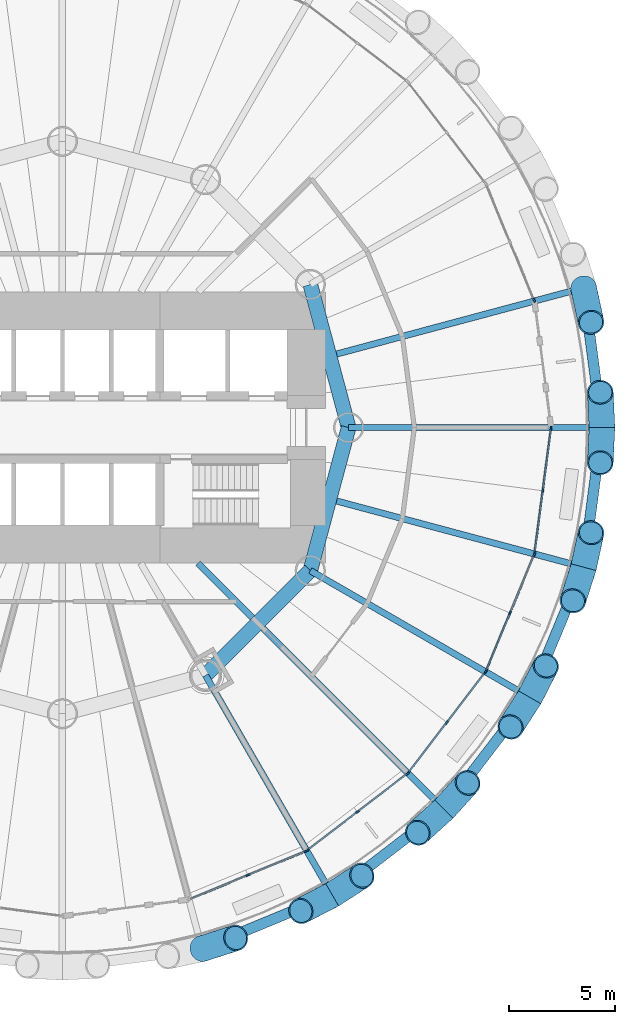
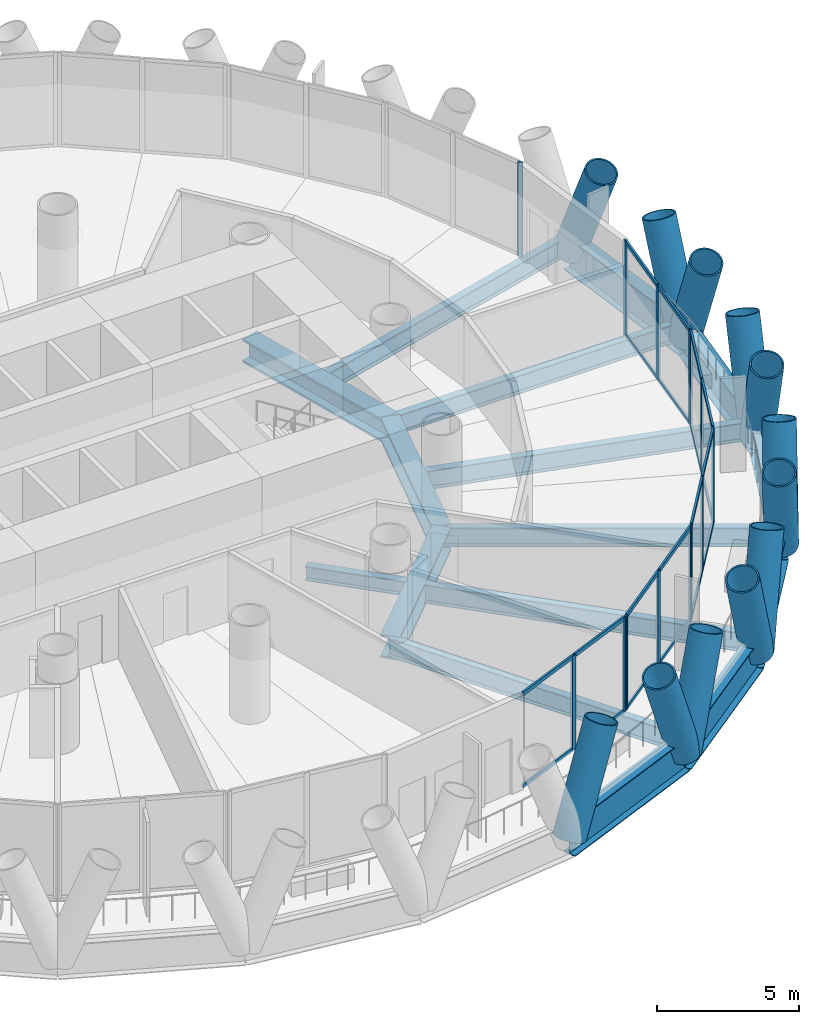
# One storey, part 4 of 14: 47 members, 16 beams, 6 elements without a shape of their own.
"""IFC4 building model written with IfcOpenShell, lengths in metres."""

from ifc_helpers import new_model, si_unit, direction, frame, origin, origin_2d, place, context, subcontext, project, spatial, rectangle, hollow_circle, i_section, extrude, material, material_profile, profile_set, type_object, element, aggregate, save


model = new_model("IFC4")

# Units and contexts
model_context = context("Model", 3, precision=1e-05, world=origin(), true_north=direction((0.0, 1.0)))
body_context = subcontext(model_context, "Body", "Model", "MODEL_VIEW")
ifc_project = project(units=[si_unit("LENGTHUNIT", "METRE"), si_unit("AREAUNIT", "SQUARE_METRE"), si_unit("VOLUMEUNIT", "CUBIC_METRE"), si_unit("PLANEANGLEUNIT", "RADIAN"), si_unit("MASSUNIT", "GRAM", prefix="KILO")], contexts=[model_context])

# Site, building, storey
site_placement = place(None, origin())
site = spatial("IfcSite", under=ifc_project, at=site_placement, CompositionType="ELEMENT")
building_placement = place(site_placement, origin())
building = spatial("IfcBuilding", under=site, at=building_placement, Name="Qaws Media Tower", CompositionType="ELEMENT")
storey_placement = place(building_placement, frame((0.0, 0.0, 93.199951171875)))
storey = spatial("IfcBuildingStorey", under=building, at=storey_placement, Name="L20", CompositionType="ELEMENT", Elevation=93.199951171875)

# Curtain wall, member
ifc_material_1 = material(Name="Aluminium and clear glass", Category="aluminium")
curtain_wall_type = type_object("IfcCurtainWallType", Name="Unitised curtain wall CW-A", PredefinedType="NOTDEFINED", material=ifc_material_1)
curtain_wall_1_placement = place(storey_placement, origin())
curtain_wall_1 = element("IfcCurtainWall", 1, at=curtain_wall_1_placement, inside=storey, type_object=curtain_wall_type, Name="CWA curtain wall L20-02", PredefinedType="NOTDEFINED")
ifc_material_2 = material(Name="Aluminium mullion", Category="aluminium")
ifc_material_profile_1 = material_profile(ifc_material_2, rectangle(XDim=0.080078125, YDim=0.199951171875, at=origin_2d()), Name="80x200")
ifc_profile_set_1 = profile_set([ifc_material_profile_1], Name="Aluminium mullion")
member_type_1 = type_object("IfcMemberType", Name="Curtain wall mullion 80x200", PredefinedType="MULLION", material=ifc_profile_set_1)
member_1_placement = place(storey_placement, frame((82.249267578125, 56.002685546875, 0.0), z_axis=(0.0, 0.0, 1.0), x_axis=(-0.923879575665, -0.382683328183, 0.0)))
member_1 = element("IfcMember", 2, at=member_1_placement, type_object=member_type_1, Name="CWA mullion 1", PredefinedType="MULLION", context=body_context, shape_type="SweptSolid", body=[
    extrude(rectangle(XDim=0.080078125, YDim=0.199951171875, at=origin_2d()), origin(), (0.0, 0.0, 1.0), 4.0400390625),
])
aggregate(curtain_wall_1, [member_1])

# Curtain wall, members
curtain_wall_2_placement = place(storey_placement, origin())
curtain_wall_2 = element("IfcCurtainWall", 3, at=curtain_wall_2_placement, inside=storey, type_object=curtain_wall_type, Name="CWA curtain wall L20-20", PredefinedType="NOTDEFINED")
member_2_placement = place(storey_placement, frame((68.745361328125, 28.88671875, 0.0), z_axis=(0.0, 0.0, 1.0), x_axis=(-0.382683328183, 0.923879575665, 0.0)))
member_2 = element("IfcMember", 4, at=member_2_placement, type_object=member_type_1, Name="CWA mullion 2", PredefinedType="MULLION", context=body_context, shape_type="SweptSolid", body=[
    extrude(rectangle(XDim=0.080078125, YDim=0.199951171875, at=origin_2d()), origin(), (0.0, 0.0, 1.0), 4.0400390625),
])
member_3_placement = place(storey_placement, frame((71.488037109375, 30.022705078125, 0.0), z_axis=(0.0, 0.0, 1.0), x_axis=(-0.382683328183, 0.923879575665, 0.0)))
member_3 = element("IfcMember", 5, at=member_3_placement, type_object=member_type_1, Name="CWA mullion 3", PredefinedType="MULLION", context=body_context, shape_type="SweptSolid", body=[
    extrude(rectangle(XDim=0.080078125, YDim=0.199951171875, at=origin_2d()), origin(), (0.0, 0.0, 1.0), 4.0400390625),
])

curtain_wall_3_placement = place(storey_placement, origin())
curtain_wall_3 = element("IfcCurtainWall", 6, at=curtain_wall_3_placement, inside=storey, type_object=curtain_wall_type, Name="CWA curtain wall L20-21", PredefinedType="NOTDEFINED")
member_4_placement = place(storey_placement, frame((71.556640625, 30.0625, 0.0), z_axis=(0.0, 0.0, 1.0), x_axis=(-0.608761531958, 0.793353261295, 0.0)))
member_4 = element("IfcMember", 7, at=member_4_placement, type_object=member_type_1, Name="CWA mullion 1", PredefinedType="MULLION", context=body_context, shape_type="SweptSolid", body=[
    extrude(rectangle(XDim=0.080078125, YDim=0.199951171875, at=origin_2d()), origin(), (0.0, 0.0, 1.0), 4.0400390625),
])
member_5_placement = place(storey_placement, frame((73.911865234375, 31.86962890625, 0.0), z_axis=(0.0, 0.0, 1.0), x_axis=(-0.608761531958, 0.793353261295, 0.0)))
member_5 = element("IfcMember", 8, at=member_5_placement, type_object=member_type_1, Name="CWA mullion 2", PredefinedType="MULLION", context=body_context, shape_type="SweptSolid", body=[
    extrude(rectangle(XDim=0.080078125, YDim=0.199951171875, at=origin_2d()), origin(), (0.0, 0.0, 1.0), 4.0400390625),
])
member_6_placement = place(storey_placement, frame((76.26708984375, 33.6767578125, 0.0), z_axis=(0.0, 0.0, 1.0), x_axis=(-0.608761531958, 0.793353261295, 0.0)))
member_6 = element("IfcMember", 9, at=member_6_placement, type_object=member_type_1, Name="CWA mullion 3", PredefinedType="MULLION", context=body_context, shape_type="SweptSolid", body=[
    extrude(rectangle(XDim=0.080078125, YDim=0.199951171875, at=origin_2d()), origin(), (0.0, 0.0, 1.0), 4.0400390625),
])

curtain_wall_4_placement = place(storey_placement, origin())
curtain_wall_4 = element("IfcCurtainWall", 10, at=curtain_wall_4_placement, inside=storey, type_object=curtain_wall_type, Name="CWA curtain wall L20-22", PredefinedType="NOTDEFINED")
member_7_placement = place(storey_placement, frame((76.3232421875, 33.73291015625, 0.0), z_axis=(0.0, 0.0, 1.0), x_axis=(-0.793353261295, 0.608761531958, 0.0)))
member_7 = element("IfcMember", 11, at=member_7_placement, type_object=member_type_1, Name="CWA mullion 1", PredefinedType="MULLION", context=body_context, shape_type="SweptSolid", body=[
    extrude(rectangle(XDim=0.080078125, YDim=0.199951171875, at=origin_2d()), origin(), (0.0, 0.0, 1.0), 4.0400390625),
])
member_8_placement = place(storey_placement, frame((78.13037109375, 36.088134765625, 0.0), z_axis=(0.0, 0.0, 1.0), x_axis=(-0.793353261295, 0.608761531958, 0.0)))
member_8 = element("IfcMember", 12, at=member_8_placement, type_object=member_type_1, Name="CWA mullion 2", PredefinedType="MULLION", context=body_context, shape_type="SweptSolid", body=[
    extrude(rectangle(XDim=0.080078125, YDim=0.199951171875, at=origin_2d()), origin(), (0.0, 0.0, 1.0), 4.0400390625),
])
member_9_placement = place(storey_placement, frame((79.9375, 38.443359375, 0.0), z_axis=(0.0, 0.0, 1.0), x_axis=(-0.793353261295, 0.608761531958, 0.0)))
member_9 = element("IfcMember", 13, at=member_9_placement, type_object=member_type_1, Name="CWA mullion 3", PredefinedType="MULLION", context=body_context, shape_type="SweptSolid", body=[
    extrude(rectangle(XDim=0.080078125, YDim=0.199951171875, at=origin_2d()), origin(), (0.0, 0.0, 1.0), 4.0400390625),
])

curtain_wall_5_placement = place(storey_placement, origin())
curtain_wall_5 = element("IfcCurtainWall", 14, at=curtain_wall_5_placement, inside=storey, type_object=curtain_wall_type, Name="CWA curtain wall L20-23", PredefinedType="NOTDEFINED")
member_10_placement = place(storey_placement, frame((79.977294921875, 38.511962890625, 0.0), z_axis=(0.0, 0.0, 1.0), x_axis=(-0.923879575665, 0.382683328183, 0.0)))
member_10 = element("IfcMember", 15, at=member_10_placement, type_object=member_type_1, Name="CWA mullion 1", PredefinedType="MULLION", context=body_context, shape_type="SweptSolid", body=[
    extrude(rectangle(XDim=0.080078125, YDim=0.199951171875, at=origin_2d()), origin(), (0.0, 0.0, 1.0), 4.0400390625),
])
member_11_placement = place(storey_placement, frame((81.11328125, 41.254638671875, 0.0), z_axis=(0.0, 0.0, 1.0), x_axis=(-0.923879575665, 0.382683328183, 0.0)))
member_11 = element("IfcMember", 16, at=member_11_placement, type_object=member_type_1, Name="CWA mullion 2", PredefinedType="MULLION", context=body_context, shape_type="SweptSolid", body=[
    extrude(rectangle(XDim=0.080078125, YDim=0.199951171875, at=origin_2d()), origin(), (0.0, 0.0, 1.0), 4.0400390625),
])
member_12_placement = place(storey_placement, frame((82.249267578125, 43.997314453125, 0.0), z_axis=(0.0, 0.0, 1.0), x_axis=(-0.923879575665, 0.382683328183, 0.0)))
member_12 = element("IfcMember", 17, at=member_12_placement, type_object=member_type_1, Name="CWA mullion 3", PredefinedType="MULLION", context=body_context, shape_type="SweptSolid", body=[
    extrude(rectangle(XDim=0.080078125, YDim=0.199951171875, at=origin_2d()), origin(), (0.0, 0.0, 1.0), 4.0400390625),
])

curtain_wall_6_placement = place(storey_placement, origin())
curtain_wall_6 = element("IfcCurtainWall", 18, at=curtain_wall_6_placement, inside=storey, type_object=curtain_wall_type, Name="CWA curtain wall L20-24", PredefinedType="NOTDEFINED")
member_13_placement = place(storey_placement, frame((82.269775390625, 44.073974609375, 0.0), z_axis=(0.0, 0.0, 1.0), x_axis=(-0.991444855038, 0.130526240342, 0.0)))
member_13 = element("IfcMember", 19, at=member_13_placement, type_object=member_type_1, Name="CWA mullion 1", PredefinedType="MULLION", context=body_context, shape_type="SweptSolid", body=[
    extrude(rectangle(XDim=0.080078125, YDim=0.199951171875, at=origin_2d()), origin(), (0.0, 0.0, 1.0), 4.0400390625),
])
member_14_placement = place(storey_placement, frame((82.6572265625, 47.01708984375, 0.0), z_axis=(0.0, 0.0, 1.0), x_axis=(-0.991444855038, 0.130526240342, 0.0)))
member_14 = element("IfcMember", 20, at=member_14_placement, type_object=member_type_1, Name="CWA mullion 2", PredefinedType="MULLION", context=body_context, shape_type="SweptSolid", body=[
    extrude(rectangle(XDim=0.080078125, YDim=0.199951171875, at=origin_2d()), origin(), (0.0, 0.0, 1.0), 4.0400390625),
])
member_15_placement = place(storey_placement, frame((83.044677734375, 49.96044921875, 0.0), z_axis=(0.0, 0.0, 1.0), x_axis=(-0.991444855038, 0.130526240342, 0.0)))
member_15 = element("IfcMember", 21, at=member_15_placement, type_object=member_type_1, Name="CWA mullion 3", PredefinedType="MULLION", context=body_context, shape_type="SweptSolid", body=[
    extrude(rectangle(XDim=0.080078125, YDim=0.199951171875, at=origin_2d()), origin(), (0.0, 0.0, 1.0), 4.0400390625),
])

# Member
ifc_material_3 = material(Name="Aluminium transom", Category="aluminium")
ifc_material_profile_2 = material_profile(ifc_material_3, rectangle(XDim=0.080078125, YDim=0.159912109375, at=origin_2d()), Name="80x160")
ifc_profile_set_2 = profile_set([ifc_material_profile_2], Name="Aluminium transom")
member_type_2 = type_object("IfcMemberType", Name="Curtain wall transom 80x160", PredefinedType="USERDEFINED", material=ifc_profile_set_2)
member_16_placement = place(storey_placement, frame((66.039794921875, 27.76611328125, 0.0400390625), z_axis=(0.923902494293, 0.382627993016, 0.0), x_axis=(-0.382627993016, 0.923902494293, 0.0)))
member_16 = element("IfcMember", 22, at=member_16_placement, type_object=member_type_2, Name="CWA transom 1.1", ObjectType="TRANSOM", PredefinedType="USERDEFINED", context=body_context, shape_type="SweptSolid", body=[
    extrude(rectangle(XDim=0.080078125, YDim=0.159912109375, at=origin_2d()), origin(), (0.0, 0.0, 1.0), 2.888427734375),
])

member_17_placement = place(storey_placement, frame((66.039794921875, 27.76611328125, 4.0), z_axis=(0.923902494293, 0.382627993016, 0.0), x_axis=(-0.382627993016, 0.923902494293, 0.0)))
member_17 = element("IfcMember", 23, at=member_17_placement, type_object=member_type_2, Name="CWA transom 1.2", ObjectType="TRANSOM", PredefinedType="USERDEFINED", context=body_context, shape_type="SweptSolid", body=[
    extrude(rectangle(XDim=0.080078125, YDim=0.159912109375, at=origin_2d()), origin(), (0.0, 0.0, 1.0), 2.888427734375),
])

member_18_placement = place(storey_placement, frame((68.7822265625, 28.902099609375, 0.0400390625), z_axis=(0.923884990322, 0.382670255779, 0.0), x_axis=(-0.382670255779, 0.923884990322, 0.0)))
member_18 = element("IfcMember", 24, at=member_18_placement, type_object=member_type_2, Name="CWA transom 2.1", ObjectType="TRANSOM", PredefinedType="USERDEFINED", context=body_context, shape_type="SweptSolid", body=[
    extrude(rectangle(XDim=0.080078125, YDim=0.159912109375, at=origin_2d()), origin(), (0.0, 0.0, 1.0), 2.888916015625),
])

member_19_placement = place(storey_placement, frame((68.7822265625, 28.902099609375, 4.0), z_axis=(0.923884990322, 0.382670255779, 0.0), x_axis=(-0.382670255779, 0.923884990322, 0.0)))
member_19 = element("IfcMember", 25, at=member_19_placement, type_object=member_type_2, Name="CWA transom 2.2", ObjectType="TRANSOM", PredefinedType="USERDEFINED", context=body_context, shape_type="SweptSolid", body=[
    extrude(rectangle(XDim=0.080078125, YDim=0.159912109375, at=origin_2d()), origin(), (0.0, 0.0, 1.0), 2.888916015625),
])

aggregate(curtain_wall_2, [member_2, member_3, member_16, member_17, member_18, member_19])

member_20_placement = place(storey_placement, frame((71.58837890625, 30.0869140625, 0.0400390625), z_axis=(0.793390013074, 0.608713633127, 0.0), x_axis=(-0.608713633127, 0.793390013074, 0.0)))
member_20 = element("IfcMember", 26, at=member_20_placement, type_object=member_type_2, Name="CWA transom 1.1", ObjectType="TRANSOM", PredefinedType="USERDEFINED", context=body_context, shape_type="SweptSolid", body=[
    extrude(rectangle(XDim=0.080078125, YDim=0.159912109375, at=origin_2d()), origin(), (0.0, 0.0, 1.0), 2.888671875),
])

member_21_placement = place(storey_placement, frame((71.58837890625, 30.0869140625, 4.0), z_axis=(0.793390013074, 0.608713633127, 0.0), x_axis=(-0.608713633127, 0.793390013074, 0.0)))
member_21 = element("IfcMember", 27, at=member_21_placement, type_object=member_type_2, Name="CWA transom 1.2", ObjectType="TRANSOM", PredefinedType="USERDEFINED", context=body_context, shape_type="SweptSolid", body=[
    extrude(rectangle(XDim=0.080078125, YDim=0.159912109375, at=origin_2d()), origin(), (0.0, 0.0, 1.0), 2.888671875),
])

member_22_placement = place(storey_placement, frame((73.943603515625, 31.89404296875, 0.0400390625), z_axis=(0.793349194644, 0.608766831684, 0.0), x_axis=(-0.608766831684, 0.793349194644, 0.0)))
member_22 = element("IfcMember", 28, at=member_22_placement, type_object=member_type_2, Name="CWA transom 2.1", ObjectType="TRANSOM", PredefinedType="USERDEFINED", context=body_context, shape_type="SweptSolid", body=[
    extrude(rectangle(XDim=0.080078125, YDim=0.159912109375, at=origin_2d()), origin(), (0.0, 0.0, 1.0), 2.888671875),
])

member_23_placement = place(storey_placement, frame((73.943603515625, 31.89404296875, 4.0), z_axis=(0.793349194644, 0.608766831684, 0.0), x_axis=(-0.608766831684, 0.793349194644, 0.0)))
member_23 = element("IfcMember", 29, at=member_23_placement, type_object=member_type_2, Name="CWA transom 2.2", ObjectType="TRANSOM", PredefinedType="USERDEFINED", context=body_context, shape_type="SweptSolid", body=[
    extrude(rectangle(XDim=0.080078125, YDim=0.159912109375, at=origin_2d()), origin(), (0.0, 0.0, 1.0), 2.888671875),
])

aggregate(curtain_wall_3, [member_4, member_5, member_6, member_20, member_21, member_22, member_23])

member_24_placement = place(storey_placement, frame((76.347412109375, 33.7646484375, 0.0400390625), z_axis=(0.608766831684, 0.793349194644, 0.0), x_axis=(-0.793349194644, 0.608766831684, 0.0)))
member_24 = element("IfcMember", 30, at=member_24_placement, type_object=member_type_2, Name="CWA transom 1.1", ObjectType="TRANSOM", PredefinedType="USERDEFINED", context=body_context, shape_type="SweptSolid", body=[
    extrude(rectangle(XDim=0.080078125, YDim=0.159912109375, at=origin_2d()), origin(), (0.0, 0.0, 1.0), 2.888671875),
])

member_25_placement = place(storey_placement, frame((76.347412109375, 33.7646484375, 4.0), z_axis=(0.608766831684, 0.793349194644, 0.0), x_axis=(-0.793349194644, 0.608766831684, 0.0)))
member_25 = element("IfcMember", 31, at=member_25_placement, type_object=member_type_2, Name="CWA transom 1.2", ObjectType="TRANSOM", PredefinedType="USERDEFINED", context=body_context, shape_type="SweptSolid", body=[
    extrude(rectangle(XDim=0.080078125, YDim=0.159912109375, at=origin_2d()), origin(), (0.0, 0.0, 1.0), 2.888671875),
])

member_26_placement = place(storey_placement, frame((78.15478515625, 36.119873046875, 0.0400390625), z_axis=(0.608713633127, 0.793390013074, 0.0), x_axis=(-0.793390013074, 0.608713633127, 0.0)))
member_26 = element("IfcMember", 32, at=member_26_placement, type_object=member_type_2, Name="CWA transom 2.1", ObjectType="TRANSOM", PredefinedType="USERDEFINED", context=body_context, shape_type="SweptSolid", body=[
    extrude(rectangle(XDim=0.080078125, YDim=0.159912109375, at=origin_2d()), origin(), (0.0, 0.0, 1.0), 2.888671875),
])

member_27_placement = place(storey_placement, frame((78.15478515625, 36.119873046875, 4.0), z_axis=(0.608713633127, 0.793390013074, 0.0), x_axis=(-0.793390013074, 0.608713633127, 0.0)))
member_27 = element("IfcMember", 33, at=member_27_placement, type_object=member_type_2, Name="CWA transom 2.2", ObjectType="TRANSOM", PredefinedType="USERDEFINED", context=body_context, shape_type="SweptSolid", body=[
    extrude(rectangle(XDim=0.080078125, YDim=0.159912109375, at=origin_2d()), origin(), (0.0, 0.0, 1.0), 2.888671875),
])

aggregate(curtain_wall_4, [member_7, member_8, member_9, member_24, member_25, member_26, member_27])

member_28_placement = place(storey_placement, frame((79.992431640625, 38.548828125, 0.0400390625), z_axis=(0.382670255779, 0.923884990322, 0.0), x_axis=(-0.923884990322, 0.382670255779, 0.0)))
member_28 = element("IfcMember", 34, at=member_28_placement, type_object=member_type_2, Name="CWA transom 1.1", ObjectType="TRANSOM", PredefinedType="USERDEFINED", context=body_context, shape_type="SweptSolid", body=[
    extrude(rectangle(XDim=0.080078125, YDim=0.159912109375, at=origin_2d()), origin(), (0.0, 0.0, 1.0), 2.888916015625),
])

member_29_placement = place(storey_placement, frame((79.992431640625, 38.548828125, 4.0), z_axis=(0.382670255779, 0.923884990322, 0.0), x_axis=(-0.923884990322, 0.382670255779, 0.0)))
member_29 = element("IfcMember", 35, at=member_29_placement, type_object=member_type_2, Name="CWA transom 1.2", ObjectType="TRANSOM", PredefinedType="USERDEFINED", context=body_context, shape_type="SweptSolid", body=[
    extrude(rectangle(XDim=0.080078125, YDim=0.159912109375, at=origin_2d()), origin(), (0.0, 0.0, 1.0), 2.888916015625),
])

member_30_placement = place(storey_placement, frame((81.128662109375, 41.29150390625, 0.0400390625), z_axis=(0.382627993016, 0.923902494293, 0.0), x_axis=(-0.923902494293, 0.382627993016, 0.0)))
member_30 = element("IfcMember", 36, at=member_30_placement, type_object=member_type_2, Name="CWA transom 2.1", ObjectType="TRANSOM", PredefinedType="USERDEFINED", context=body_context, shape_type="SweptSolid", body=[
    extrude(rectangle(XDim=0.080078125, YDim=0.159912109375, at=origin_2d()), origin(), (0.0, 0.0, 1.0), 2.888427734375),
])

member_31_placement = place(storey_placement, frame((81.128662109375, 41.29150390625, 4.0), z_axis=(0.382627993016, 0.923902494293, 0.0), x_axis=(-0.923902494293, 0.382627993016, 0.0)))
member_31 = element("IfcMember", 37, at=member_31_placement, type_object=member_type_2, Name="CWA transom 2.2", ObjectType="TRANSOM", PredefinedType="USERDEFINED", context=body_context, shape_type="SweptSolid", body=[
    extrude(rectangle(XDim=0.080078125, YDim=0.159912109375, at=origin_2d()), origin(), (0.0, 0.0, 1.0), 2.888427734375),
])

aggregate(curtain_wall_5, [member_10, member_11, member_12, member_28, member_29, member_30, member_31])

member_32_placement = place(storey_placement, frame((82.275146484375, 44.113525390625, 0.0400390625), z_axis=(0.130491678516, 0.991449404578, 0.0), x_axis=(-0.991449404578, 0.130491678516, 0.0)))
member_32 = element("IfcMember", 38, at=member_32_placement, type_object=member_type_2, Name="CWA transom 1.1", ObjectType="TRANSOM", PredefinedType="USERDEFINED", context=body_context, shape_type="SweptSolid", body=[
    extrude(rectangle(XDim=0.080078125, YDim=0.159912109375, at=origin_2d()), origin(), (0.0, 0.0, 1.0), 2.888671875),
])

member_33_placement = place(storey_placement, frame((82.275146484375, 44.113525390625, 4.0), z_axis=(0.130491678516, 0.991449404578, 0.0), x_axis=(-0.991449404578, 0.130491678516, 0.0)))
member_33 = element("IfcMember", 39, at=member_33_placement, type_object=member_type_2, Name="CWA transom 1.2", ObjectType="TRANSOM", PredefinedType="USERDEFINED", context=body_context, shape_type="SweptSolid", body=[
    extrude(rectangle(XDim=0.080078125, YDim=0.159912109375, at=origin_2d()), origin(), (0.0, 0.0, 1.0), 2.888671875),
])

member_34_placement = place(storey_placement, frame((82.66259765625, 47.056884765625, 0.0400390625), z_axis=(0.130502613671, 0.991447965263, 0.0), x_axis=(-0.991447965263, 0.130502613671, 0.0)))
member_34 = element("IfcMember", 40, at=member_34_placement, type_object=member_type_2, Name="CWA transom 2.1", ObjectType="TRANSOM", PredefinedType="USERDEFINED", context=body_context, shape_type="SweptSolid", body=[
    extrude(rectangle(XDim=0.080078125, YDim=0.159912109375, at=origin_2d()), origin(), (0.0, 0.0, 1.0), 2.888427734375),
])

member_35_placement = place(storey_placement, frame((82.66259765625, 47.056884765625, 4.0), z_axis=(0.130502613671, 0.991447965263, 0.0), x_axis=(-0.991447965263, 0.130502613671, 0.0)))
member_35 = element("IfcMember", 41, at=member_35_placement, type_object=member_type_2, Name="CWA transom 2.2", ObjectType="TRANSOM", PredefinedType="USERDEFINED", context=body_context, shape_type="SweptSolid", body=[
    extrude(rectangle(XDim=0.080078125, YDim=0.159912109375, at=origin_2d()), origin(), (0.0, 0.0, 1.0), 2.888427734375),
])

aggregate(curtain_wall_6, [member_13, member_14, member_15, member_32, member_33, member_34, member_35])

# Members
ifc_material_4 = material(Name="Steel S460", Category="steel")
ifc_material_profile_3 = material_profile(ifc_material_4, hollow_circle(Radius=0.609619140625, WallThickness=0.06005859375, at=origin_2d()), Name="CHS 1219x60")
ifc_profile_set_3 = profile_set([ifc_material_profile_3], Name="Steel S460")
member_type_3 = type_object("IfcMemberType", Name="Diagrid member CHS 1219x60", PredefinedType="USERDEFINED", material=ifc_profile_set_3)
for number, where, z_axis, x_axis, name in (
    (42, (85.449951171875, 50.0, -0.909912109375), (-0.017562730337, 0.368060788684, 0.929635846091), (-0.998863487797, -0.047662697627, 0.0), "DG1 diagrid L20 A01"),
    (43, (85.449951171875, 50.0, -0.909912109375), (-0.017562730337, -0.368060788684, 0.929635846091), (0.998863487797, -0.047662697627, 0.0), "DG1 diagrid L20 B01"),
    (44, (84.582763671875, 56.5869140625, -0.909912109375), (0.078302777838, -0.360063084013, 0.929636084989), (0.977160478007, 0.212502706383, 0.0), "DG1 diagrid L20 B02"),
    (45, (66.5869140625, 25.417236328125, -0.909912109375), (0.350982561874, 0.11223876536, 0.929630948716), (-0.304589483732, 0.952483725005, 0.0), "DG1 diagrid L20 A20"),
    (46, (72.72509765625, 27.959716796875, -0.909912109375), (0.309968536271, 0.199242327969, 0.929635413088), (-0.540713117879, 0.84120706378, 0.0), "DG1 diagrid L20 A21"),
    (47, (72.72509765625, 27.959716796875, -0.909912109375), (-0.327579770816, -0.168815441114, 0.929619729026), (0.458090025159, -0.888905804262, 0.0), "DG1 diagrid L20 B21"),
    (48, (77.995849609375, 32.004150390625, -0.909912109375), (0.247824298479, 0.272682383368, 0.929638335529), (-0.740032971445, 0.672570591963, 0.0), "DG1 diagrid L20 A22"),
    (49, (77.995849609375, 32.004150390625, -0.909912109375), (-0.272682383368, -0.247824298479, 0.929638335529), (0.672570591963, -0.740032971445, 0.0), "DG1 diagrid L20 B22"),
    (50, (82.040283203125, 37.27490234375, -0.909912109375), (0.168815441114, 0.327579770816, 0.929619729026), (-0.888905804262, 0.458090025159, 0.0), "DG1 diagrid L20 A23"),
    (51, (82.040283203125, 37.27490234375, -0.909912109375), (-0.199242327969, -0.309968536271, 0.929635413088), (0.84120706378, -0.540713117879, 0.0), "DG1 diagrid L20 B23"),
    (52, (84.582763671875, 43.4130859375, -0.909912109375), (0.078302777838, 0.360063084013, 0.929636084989), (-0.977160478007, 0.212502706383, 0.0), "DG1 diagrid L20 A24"),
    (53, (84.582763671875, 43.4130859375, -0.909912109375), (-0.11223876536, -0.350982561874, 0.929630948716), (0.952483725005, -0.304589483732, 0.0), "DG1 diagrid L20 B24"),
):
    element("IfcMember", number, at=place(storey_placement, frame(where, z_axis=z_axis, x_axis=x_axis)), inside=storey, type_object=member_type_3, Name=name, ObjectType="DIAGRID", PredefinedType="USERDEFINED", context=body_context, shape_type="SweptSolid", body=[
        extrude(hollow_circle(Radius=0.609619140625, WallThickness=0.06005859375, at=origin_2d()), origin(), (0.0, 0.0, 1.0), 4.517822265625),
    ])

# Beams
ifc_material_5 = material(Name="Steel S460", Category="steel")
ifc_material_profile_4 = material_profile(ifc_material_5, i_section(OverallWidth=0.5, OverallDepth=1.5, WebThickness=0.02001953125, FlangeThickness=0.0400390625, at=origin_2d()), Name="PG 1500x500")
ifc_profile_set_4 = profile_set([ifc_material_profile_4], Name="Steel S460")
beam_type_1 = type_object("IfcBeamType", Name="Edge ring beam PG 1500x500", PredefinedType="BEAM", material=ifc_profile_set_4)
for number, where, z_axis, x_axis, name in (
    (54, (85.449951171875, 50.0, -0.909912109375), (-0.130526756258, 0.991444787117, 0.0), (-0.991444787117, -0.130526756258, 0.0), "RB4 edge ring beam L20-01"),
    (55, (66.5869140625, 25.417236328125, -0.909912109375), (0.923881577225, 0.382678495952, 0.0), (-0.382678495952, 0.923881577225, 0.0), "RB4 edge ring beam L20-20"),
):
    element("IfcBeam", number, at=place(storey_placement, frame(where, z_axis=z_axis, x_axis=x_axis)), inside=storey, type_object=beam_type_1, Name=name, PredefinedType="BEAM", context=body_context, shape_type="SweptSolid", body=[
        extrude(i_section(OverallWidth=0.5, OverallDepth=1.5, WebThickness=0.02001953125, FlangeThickness=0.0400390625, at=origin_2d()), origin(), (0.0, 0.0, 1.0), 6.643798828125),
    ])
for number, where, z_axis, x_axis, name in (
    (56, (72.72509765625, 27.959716796875, -0.909912109375), (0.793350187256, 0.608765538102, 0.0), (-0.608765538102, 0.793350187256, 0.0), "RB4 edge ring beam L20-21"),
    (57, (77.995849609375, 32.004150390625, -0.909912109375), (0.608765538102, 0.793350187256, 0.0), (-0.793350187256, 0.608765538102, 0.0), "RB4 edge ring beam L20-22"),
):
    element("IfcBeam", number, at=place(storey_placement, frame(where, z_axis=z_axis, x_axis=x_axis)), inside=storey, type_object=beam_type_1, Name=name, PredefinedType="BEAM", context=body_context, shape_type="SweptSolid", body=[
        extrude(i_section(OverallWidth=0.5, OverallDepth=1.5, WebThickness=0.02001953125, FlangeThickness=0.0400390625, at=origin_2d()), origin(), (0.0, 0.0, 1.0), 6.6435546875),
    ])
for number, where, z_axis, x_axis, name in (
    (58, (82.040283203125, 37.27490234375, -0.909912109375), (0.382678495952, 0.923881577225, 0.0), (-0.923881577225, 0.382678495952, 0.0), "RB4 edge ring beam L20-23"),
    (59, (84.582763671875, 43.4130859375, -0.909912109375), (0.130526756258, 0.991444787117, 0.0), (-0.991444787117, 0.130526756258, 0.0), "RB4 edge ring beam L20-24"),
):
    element("IfcBeam", number, at=place(storey_placement, frame(where, z_axis=z_axis, x_axis=x_axis)), inside=storey, type_object=beam_type_1, Name=name, PredefinedType="BEAM", context=body_context, shape_type="SweptSolid", body=[
        extrude(i_section(OverallWidth=0.5, OverallDepth=1.5, WebThickness=0.02001953125, FlangeThickness=0.0400390625, at=origin_2d()), origin(), (0.0, 0.0, 1.0), 6.643798828125),
    ])
ifc_material_6 = material(Name="Steel S460", Category="steel")
ifc_material_profile_5 = material_profile(ifc_material_6, i_section(OverallWidth=0.699951171875, OverallDepth=1.0, WebThickness=0.034912109375, FlangeThickness=0.090087890625, at=origin_2d()), Name="PG 1000x700")
ifc_profile_set_5 = profile_set([ifc_material_profile_5], Name="Steel S460")
beam_type_2 = type_object("IfcBeamType", Name="Inner ring girder PG 1000x700", PredefinedType="BEAM", material=ifc_profile_set_5)
beam_1_placement = place(storey_placement, frame((73.5, 50.0, -0.659912109375), z_axis=(-0.258810593767, 0.965928090778, 0.0), x_axis=(-0.965928090778, -0.258810593767, 0.0)))
element("IfcBeam", 60, at=beam_1_placement, inside=storey, type_object=beam_type_2, Name="B3 inner ring beam L20 I01-I02", PredefinedType="BEAM", context=body_context, shape_type="SweptSolid", body=[
    extrude(i_section(OverallWidth=0.699951171875, OverallDepth=1.0, WebThickness=0.034912109375, FlangeThickness=0.090087890625, at=origin_2d()), origin(), (0.0, 0.0, 1.0), 6.988037109375),
])
beam_2_placement = place(storey_placement, frame((66.75, 38.30859375, -0.659912109375), z_axis=(0.707106781187, 0.707106781187, 0.0), x_axis=(-0.707106781187, 0.707106781187, 0.0)))
element("IfcBeam", 61, at=beam_2_placement, inside=storey, type_object=beam_type_2, Name="B3 inner ring beam L20 I11-I12", PredefinedType="BEAM", context=body_context, shape_type="SweptSolid", body=[
    extrude(i_section(OverallWidth=0.699951171875, OverallDepth=1.0, WebThickness=0.034912109375, FlangeThickness=0.090087890625, at=origin_2d()), origin(), (0.0, 0.0, 1.0), 6.98828125),
])
beam_3_placement = place(storey_placement, frame((71.69140625, 43.25, -0.659912109375), z_axis=(0.258810593767, 0.965928090778, 0.0), x_axis=(-0.965928090778, 0.258810593767, 0.0)))
element("IfcBeam", 62, at=beam_3_placement, inside=storey, type_object=beam_type_2, Name="B3 inner ring beam L20 I12-I01", PredefinedType="BEAM", context=body_context, shape_type="SweptSolid", body=[
    extrude(i_section(OverallWidth=0.699951171875, OverallDepth=1.0, WebThickness=0.034912109375, FlangeThickness=0.090087890625, at=origin_2d()), origin(), (0.0, 0.0, 1.0), 6.988037109375),
])
ifc_material_7 = material(Name="Steel S355", Category="steel")
ifc_material_profile_6 = material_profile(ifc_material_7, i_section(OverallWidth=0.304931640625, OverallDepth=0.6201171875, WebThickness=0.02099609375, FlangeThickness=0.0400390625, FilletRadius=0.027099609375, at=origin_2d()), Name="HE 600 M")
ifc_profile_set_6 = profile_set([ifc_material_profile_6], Name="Steel S355")
beam_type_3 = type_object("IfcBeamType", Name="Radial beam HE 600 M, core side", PredefinedType="BEAM", material=ifc_profile_set_6)
beam_4_placement = place(storey_placement, frame((66.39990234375, 43.60009765625, -0.469970703125), z_axis=(0.707106781187, -0.707106781187, 0.0), x_axis=(0.707106781187, 0.707106781187, 0.0)))
element("IfcBeam", 63, at=beam_4_placement, inside=storey, type_object=beam_type_3, Name="B2 radial beam L20 22", PredefinedType="BEAM", context=body_context, shape_type="SweptSolid", body=[
    extrude(i_section(OverallWidth=0.304931640625, OverallDepth=0.6201171875, WebThickness=0.02099609375, FlangeThickness=0.0400390625, FilletRadius=0.027099609375, at=origin_2d()), origin(), (0.0, 0.0, 1.0), 3.63916015625),
])
ifc_material_8 = material(Name="Steel S355", Category="steel")
ifc_material_profile_7 = material_profile(ifc_material_8, i_section(OverallWidth=0.300048828125, OverallDepth=0.800048828125, WebThickness=0.017578125, FlangeThickness=0.032958984375, FilletRadius=0.030029296875, at=origin_2d()), Name="HE 800 B")
ifc_profile_set_7 = profile_set([ifc_material_profile_7], Name="Steel S355")
beam_type_4 = type_object("IfcBeamType", Name="Radial beam HE 800 B", PredefinedType="BEAM", material=ifc_profile_set_7)
beam_5_placement = place(storey_placement, frame((73.5, 50.0, -0.56005859375), z_axis=(1.0, 0.0, 0.0), x_axis=(0.0, 1.0, 0.0)))
element("IfcBeam", 64, at=beam_5_placement, inside=storey, type_object=beam_type_4, Name="B1 radial beam L20 01", PredefinedType="BEAM", context=body_context, shape_type="SweptSolid", body=[
    extrude(i_section(OverallWidth=0.300048828125, OverallDepth=0.800048828125, WebThickness=0.017578125, FlangeThickness=0.032958984375, FilletRadius=0.030029296875, at=origin_2d()), origin(), (0.0, 0.0, 1.0), 11.949951171875),
])
beam_6_placement = place(storey_placement, frame((72.933837890625, 53.465576171875, -0.56005859375), z_axis=(0.965925460719, 0.258820409425, 0.0), x_axis=(-0.258820409425, 0.965925460719, 0.0)))
element("IfcBeam", 65, at=beam_6_placement, inside=storey, type_object=beam_type_4, Name="B1 radial beam L20 02", PredefinedType="BEAM", context=body_context, shape_type="SweptSolid", body=[
    extrude(i_section(OverallWidth=0.300048828125, OverallDepth=0.800048828125, WebThickness=0.017578125, FlangeThickness=0.032958984375, FilletRadius=0.030029296875, at=origin_2d()), origin(), (0.0, 0.0, 1.0), 12.059814453125),
])
beam_7_placement = place(storey_placement, frame((66.75, 38.30859375, -0.56005859375), z_axis=(0.500010717269, -0.866019216078, 0.0), x_axis=(0.866019216078, 0.500010717269, 0.0)))
element("IfcBeam", 66, at=beam_7_placement, inside=storey, type_object=beam_type_4, Name="B1 radial beam L20 21", PredefinedType="BEAM", context=body_context, shape_type="SweptSolid", body=[
    extrude(i_section(OverallWidth=0.300048828125, OverallDepth=0.800048828125, WebThickness=0.017578125, FlangeThickness=0.032958984375, FilletRadius=0.030029296875, at=origin_2d()), origin(), (0.0, 0.0, 1.0), 11.949951171875),
])
beam_8_placement = place(storey_placement, frame((69.46826171875, 40.53173828125, -0.56005859375), z_axis=(0.707106781187, -0.707106781187, 0.0), x_axis=(0.707106781187, 0.707106781187, 0.0)))
element("IfcBeam", 67, at=beam_8_placement, inside=storey, type_object=beam_type_4, Name="B1 radial beam L20 22", PredefinedType="BEAM", context=body_context, shape_type="SweptSolid", body=[
    extrude(i_section(OverallWidth=0.300048828125, OverallDepth=0.800048828125, WebThickness=0.017578125, FlangeThickness=0.032958984375, FilletRadius=0.030029296875, at=origin_2d()), origin(), (0.0, 0.0, 1.0), 12.059814453125),
])
beam_9_placement = place(storey_placement, frame((71.69140625, 43.25, -0.56005859375), z_axis=(0.866019216078, -0.500010717269, 0.0), x_axis=(0.500010717269, 0.866019216078, 0.0)))
element("IfcBeam", 68, at=beam_9_placement, inside=storey, type_object=beam_type_4, Name="B1 radial beam L20 23", PredefinedType="BEAM", context=body_context, shape_type="SweptSolid", body=[
    extrude(i_section(OverallWidth=0.300048828125, OverallDepth=0.800048828125, WebThickness=0.017578125, FlangeThickness=0.032958984375, FilletRadius=0.030029296875, at=origin_2d()), origin(), (0.0, 0.0, 1.0), 11.949951171875),
])
beam_10_placement = place(storey_placement, frame((72.933837890625, 46.534423828125, -0.56005859375), z_axis=(0.965925460719, -0.258820409425, 0.0), x_axis=(0.258820409425, 0.965925460719, 0.0)))
element("IfcBeam", 69, at=beam_10_placement, inside=storey, type_object=beam_type_4, Name="B1 radial beam L20 24", PredefinedType="BEAM", context=body_context, shape_type="SweptSolid", body=[
    extrude(i_section(OverallWidth=0.300048828125, OverallDepth=0.800048828125, WebThickness=0.017578125, FlangeThickness=0.032958984375, FilletRadius=0.030029296875, at=origin_2d()), origin(), (0.0, 0.0, 1.0), 12.059814453125),
])

save(model, "model.ifc")
